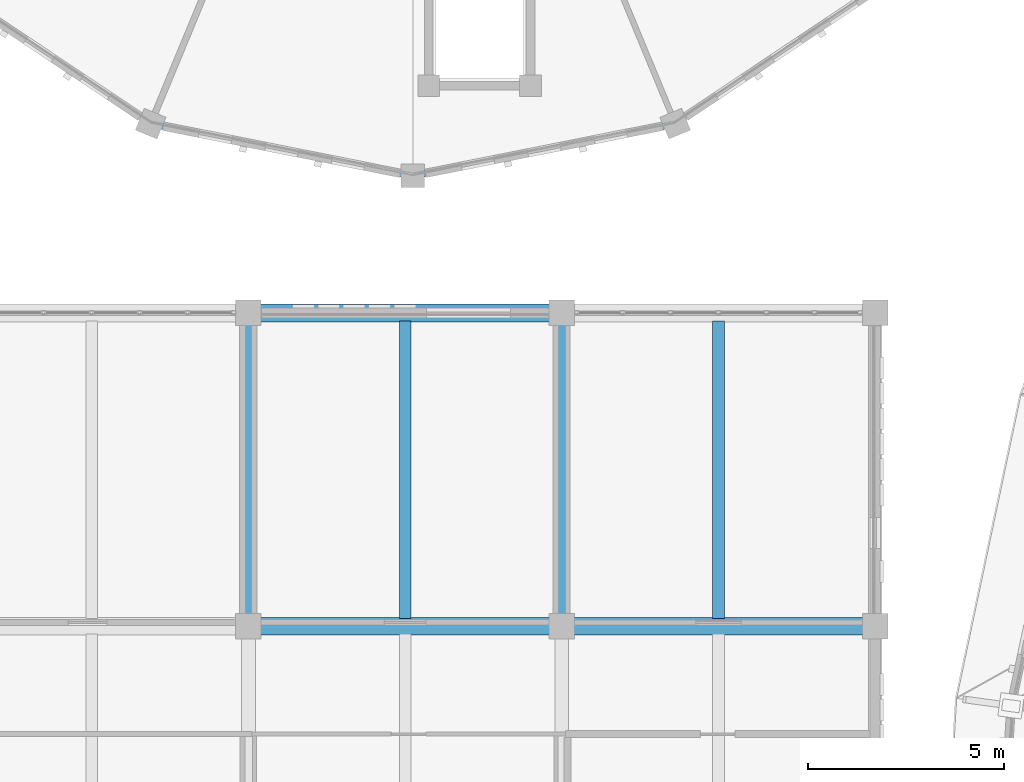
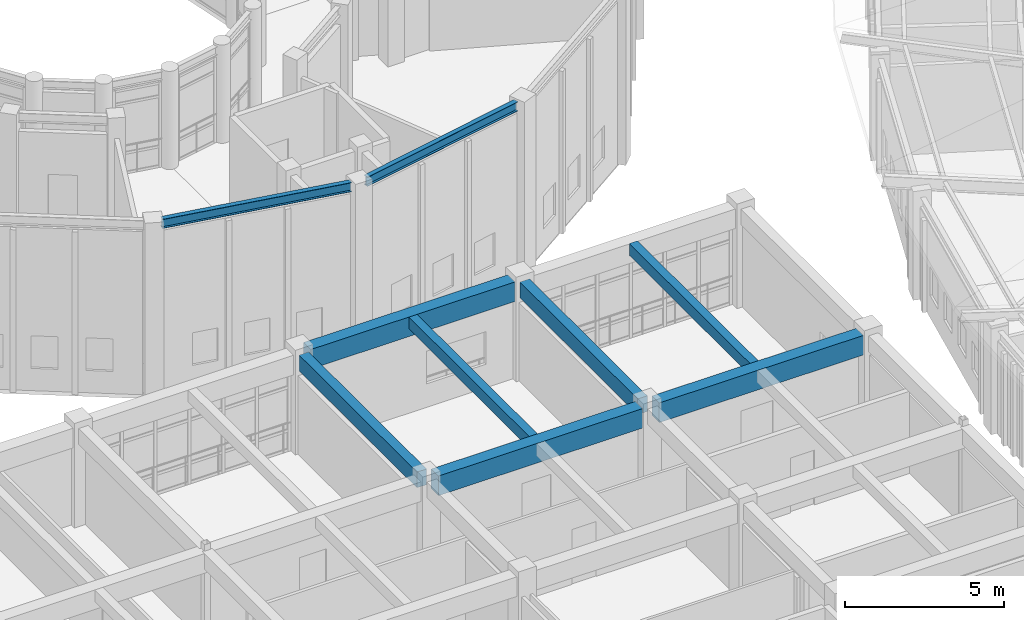
# One storey, part 57 of 149: 9 beams.
"""IFC4 building model written with IfcOpenShell, lengths in metres."""

from ifc_helpers import new_model, si_unit, direction, frame, origin, origin_2d, place, context, subcontext, project, spatial, rectangle, i_section, extrude, material, material_profile, profile_set, type_object, element, save


model = new_model("IFC4")

# Units and contexts
model_context = context("Model", 3, precision=1e-05, world=origin(), true_north=direction((0.0, 1.0)))
body_context = subcontext(model_context, "Body", "Model", "MODEL_VIEW")
ifc_project = project(units=[si_unit("LENGTHUNIT", "METRE"), si_unit("AREAUNIT", "SQUARE_METRE"), si_unit("VOLUMEUNIT", "CUBIC_METRE"), si_unit("PLANEANGLEUNIT", "RADIAN"), si_unit("MASSUNIT", "GRAM", prefix="KILO")], contexts=[model_context])

# Site, building, storey
site_placement = place(None, origin())
site = spatial("IfcSite", under=ifc_project, at=site_placement, CompositionType="ELEMENT")
building_placement = place(site_placement, origin())
building = spatial("IfcBuilding", under=site, at=building_placement, Name="Celadon Cloister-Ring School", CompositionType="ELEMENT")
storey_placement = place(building_placement, frame((0.0, 0.0, 12.5)))
storey = spatial("IfcBuildingStorey", under=building, at=storey_placement, Name="L03", CompositionType="ELEMENT", Elevation=12.5)

# Beams
ifc_material_1 = material(Name="Concrete C35/45", Category="concrete")
ifc_material_profile_1 = material_profile(ifc_material_1, rectangle(XDim=0.35009765625, YDim=0.60009765625, at=origin_2d()), Name="RC350X600")
ifc_profile_set_1 = profile_set([ifc_material_profile_1], Name="Concrete C35/45")
beam_type_1 = type_object("IfcBeamType", Name="BT-02", PredefinedType="BEAM", material=ifc_profile_set_1)
for number, where, z_axis, x_axis, name in (
    (1, (16.0, 68.300048828125, 3.4599609375), (0.0, 1.0, 0.0), (-1.0, 0.0, 0.0), "Beam 1628"),
    (2, (24.0, 68.300048828125, 3.4599609375), (0.0, 1.0, 0.0), (-1.0, 0.0, 0.0), "Beam 1633"),
):
    element("IfcBeam", number, at=place(storey_placement, frame(where, z_axis=z_axis, x_axis=x_axis)), inside=storey, type_object=beam_type_1, Name=name, PredefinedType="BEAM", context=body_context, shape_type="SweptSolid", body=[
        extrude(rectangle(XDim=0.35009765625, YDim=0.60009765625, at=origin_2d()), origin(), (0.0, 0.0, 1.0), 7.39990234375),
    ])
ifc_material_2 = material(Name="Concrete C35/45", Category="concrete")
ifc_material_profile_2 = material_profile(ifc_material_2, rectangle(XDim=0.449951171875, YDim=0.75, at=origin_2d()), Name="RC450X750")
ifc_profile_set_2 = profile_set([ifc_material_profile_2], Name="Concrete C35/45")
beam_type_2 = type_object("IfcBeamType", Name="GT-02", PredefinedType="USERDEFINED", material=ifc_profile_set_2)
for number, where, z_axis, x_axis, name in (
    (3, (16.300048828125, 68.0, 3.385009765625), (1.0, 0.0, 0.0), (0.0, 1.0, 0.0), "Beam 1614"),
    (4, (24.300048828125, 68.0, 3.385009765625), (1.0, 0.0, 0.0), (0.0, 1.0, 0.0), "Beam 1615"),
    (5, (16.300048828125, 76.0, 3.385009765625), (1.0, 0.0, 0.0), (0.0, 1.0, 0.0), "Beam 1618"),
):
    element("IfcBeam", number, at=place(storey_placement, frame(where, z_axis=z_axis, x_axis=x_axis)), inside=storey, type_object=beam_type_2, Name=name, ObjectType="GIRDER", PredefinedType="USERDEFINED", context=body_context, shape_type="SweptSolid", body=[
        extrude(rectangle(XDim=0.449951171875, YDim=0.75, at=origin_2d()), origin(), (0.0, 0.0, 1.0), 7.39990234375),
    ])
ifc_material_3 = material(Name="Concrete C35/45", Category="concrete")
ifc_material_profile_3 = material_profile(ifc_material_3, rectangle(XDim=0.300048828125, YDim=0.449951171875, at=origin_2d()), Name="RC300X450")
ifc_profile_set_3 = profile_set([ifc_material_profile_3], Name="Concrete C35/45")
beam_type_3 = type_object("IfcBeamType", Name="JT-01", PredefinedType="JOIST", material=ifc_profile_set_3)
for number, where, z_axis, x_axis, name in (
    (6, (20.0, 68.199951171875, 3.534912109375), (0.0, 1.0, 0.0), (-1.0, 0.0, 0.0), "Beam 1644"),
    (7, (28.0, 68.199951171875, 3.534912109375), (0.0, 1.0, 0.0), (-1.0, 0.0, 0.0), "Beam 1647"),
):
    element("IfcBeam", number, at=place(storey_placement, frame(where, z_axis=z_axis, x_axis=x_axis)), inside=storey, type_object=beam_type_3, Name=name, PredefinedType="JOIST", context=body_context, shape_type="SweptSolid", body=[
        extrude(rectangle(XDim=0.300048828125, YDim=0.449951171875, at=origin_2d()), origin(), (0.0, 0.0, 1.0), 7.60009765625),
    ])
ifc_material_4 = material(Name="Structural steel S355JR", Category="steel")
ifc_material_profile_4 = material_profile(ifc_material_4, i_section(OverallWidth=0.1708984375, OverallDepth=0.35498046875, WebThickness=0.007080078125, FlangeThickness=0.01171875, at=origin_2d()), Name="W360X51")
ifc_profile_set_4 = profile_set([ifc_material_profile_4], Name="Structural steel S355JR")
beam_type_4 = type_object("IfcBeamType", Name="SP-04", PredefinedType="SPANDREL", material=ifc_profile_set_4)
for number, where, z_axis, x_axis, name in (
    (8, (13.77294921875, 80.778076171875, 6.472900390625), (0.980802920261, -0.195001619501, 0.0), (0.195001619501, 0.980802920261, 0.0), "Beam 0838"),
    (9, (20.469970703125, 79.553955078125, 6.472900390625), (0.980802920261, 0.195001619501, 0.0), (-0.195001619501, 0.980802920261, 0.0), "Beam 0840"),
):
    element("IfcBeam", number, at=place(storey_placement, frame(where, z_axis=z_axis, x_axis=x_axis)), inside=storey, type_object=beam_type_4, Name=name, PredefinedType="SPANDREL", context=body_context, shape_type="SweptSolid", body=[
        extrude(i_section(OverallWidth=0.1708984375, OverallDepth=0.35498046875, WebThickness=0.007080078125, FlangeThickness=0.01171875, at=origin_2d()), origin(), (0.0, 0.0, 1.0), 6.277587890625),
    ])

save(model, "model.ifc")
